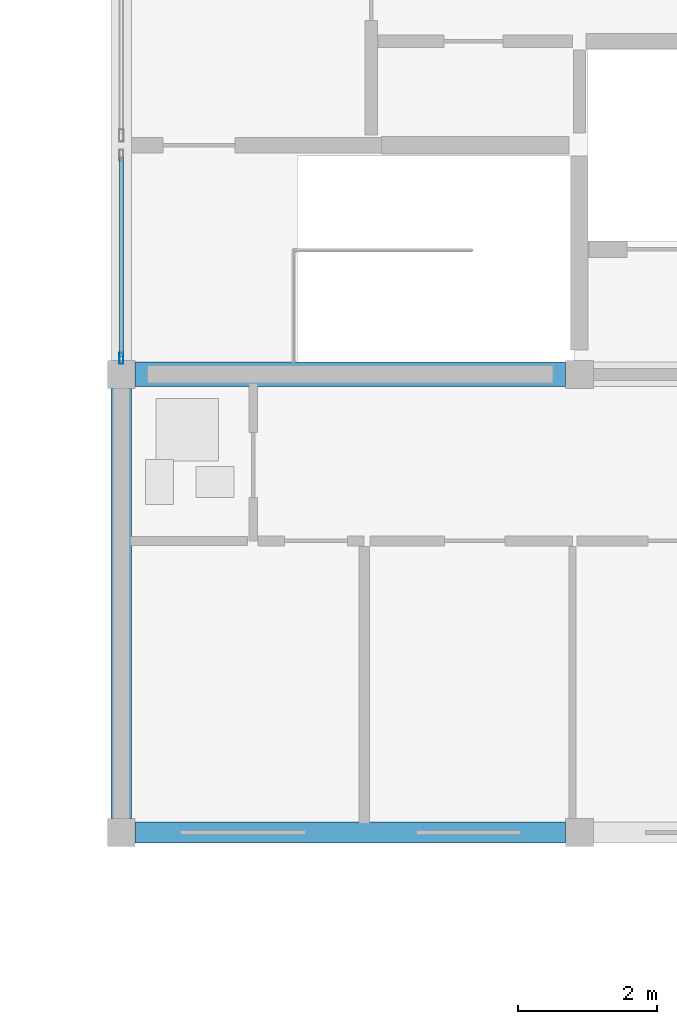
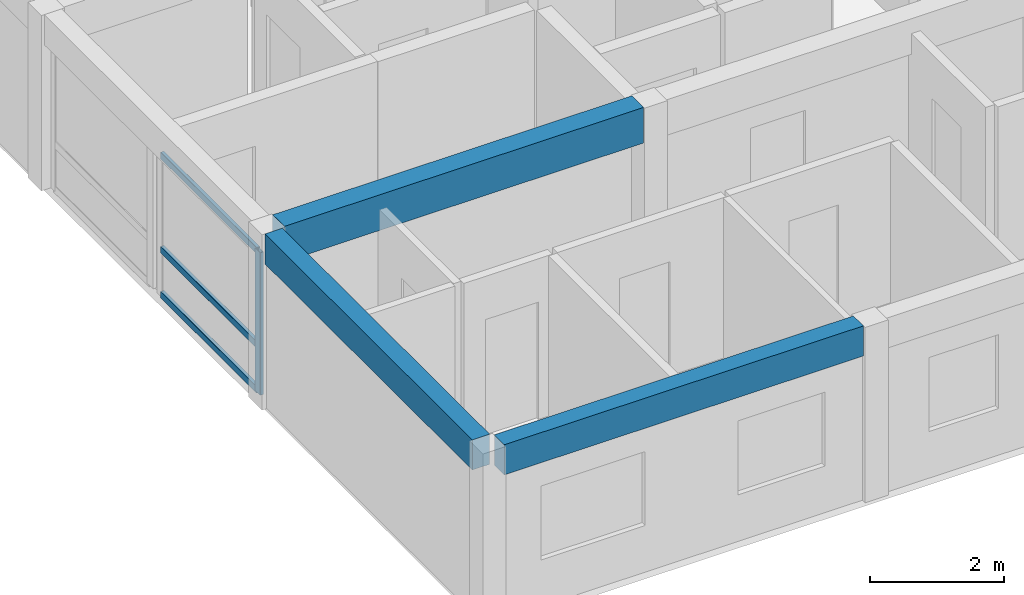
# One storey, part 7 of 23: 4 members, 3 beams, 1 element without a shape of its own.
"""IFC4 building model written with IfcOpenShell, lengths in metres."""

import ifcopenshell
import ifcopenshell.guid

model = None  # the IFC model being written
_history = None  # IfcOwnerHistory: only IFC2X3 demands one
_inside = {}  # id of a spatial element -> (the spatial element, [elements in it])
_under = {}  # id of a project, library or spatial element -> (it, [spatial elements below it])
_declared = {}  # id of a project -> (the project, [libraries it declares])
_typed = {}  # id of a type object -> (the type object, [elements of that type])
_made_of = {}  # id of a material, layer set ... -> (it, [elements and type objects made of it])


def new_model(schema):
    """Start an empty IFC model of exactly this schema.

    Asked for "IFC4X3", IfcOpenShell would pick the latest addendum, in which some entities
    have other attributes; the version numbers below select the first issue.
    IFC2X3 requires an IfcOwnerHistory on every rooted entity: one is made here for all.
    """
    global model, _history
    if schema == "IFC4X3":
        model = ifcopenshell.file(schema_version=(4, 3, 0, 0))
    else:
        model = ifcopenshell.file(schema=schema)
    _inside.clear()
    _under.clear()
    _declared.clear()
    _typed.clear()
    _made_of.clear()
    _history = None
    if model.schema == "IFC2X3":
        org = make("IfcOrganization", Name="unknown")
        user = make(
            "IfcPersonAndOrganization",
            ThePerson=make("IfcPerson", FamilyName="unknown"),
            TheOrganization=org,
        )
        app = make(
            "IfcApplication",
            ApplicationDeveloper=org,
            Version="unknown",
            ApplicationFullName="unknown",
            ApplicationIdentifier="unknown",
        )
        _history = make(
            "IfcOwnerHistory",
            OwningUser=user,
            OwningApplication=app,
            ChangeAction="ADDED",
            CreationDate=0,
        )
    return model


def make(cls, **values):
    """One entity of the class cls with the attributes given. An attribute that is None is left unset."""
    return model.create_entity(
        cls, **{name: value for name, value in values.items() if value is not None}
    )


def rooted(cls, **values):
    """An entity with a GlobalId (a new one), such as an element, a storey or a relation."""
    return make(cls, GlobalId=ifcopenshell.guid.new(), OwnerHistory=_history, **values)


def si_unit(unit_type, name, prefix=None):
    """IfcSIUnit, for example si_unit("LENGTHUNIT", "METRE", prefix="MILLI")."""
    return make("IfcSIUnit", UnitType=unit_type, Prefix=prefix, Name=name)


def assignment(units):
    """IfcUnitAssignment: the units of a project."""
    return None if units is None else make("IfcUnitAssignment", Units=units)


def point(xyz):
    """IfcCartesianPoint."""
    return None if xyz is None else make("IfcCartesianPoint", Coordinates=xyz)


def direction(xyz):
    """IfcDirection."""
    return None if xyz is None else make("IfcDirection", DirectionRatios=xyz)


def frame(location, z_axis=None, x_axis=None):
    """IfcAxis2Placement3D, a coordinate frame: its origin and axes. An axis left out is left unset."""
    return make(
        "IfcAxis2Placement3D",
        Location=point(location),
        Axis=direction(z_axis),
        RefDirection=direction(x_axis),
    )


def frame_2d(location, x_axis=None):
    """IfcAxis2Placement2D, a coordinate frame in the plane: its origin and x axis."""
    return make(
        "IfcAxis2Placement2D", Location=point(location), RefDirection=direction(x_axis)
    )


def origin():
    """The frame at (0, 0, 0) with its axes left unset."""
    return frame((0.0, 0.0, 0.0))


def origin_2d():
    """The frame at (0, 0) in the plane with its x axis left unset."""
    return frame_2d((0.0, 0.0))


def place(relative_to, where):
    """IfcLocalPlacement: puts the frame where relative to a parent placement (None: the world)."""
    return make(
        "IfcLocalPlacement", PlacementRelTo=relative_to, RelativePlacement=where
    )


def context(
    kind, dimensions, precision=None, world=None, true_north=None, identifier=None
):
    """IfcGeometricRepresentationContext, for example the 3D "Model" context."""
    return make(
        "IfcGeometricRepresentationContext",
        ContextIdentifier=identifier,
        ContextType=kind,
        CoordinateSpaceDimension=dimensions,
        Precision=precision,
        WorldCoordinateSystem=world,
        TrueNorth=true_north,
    )


def subcontext(parent, identifier, kind, view, scale=None):
    """IfcGeometricRepresentationSubContext, for example "Body" below "Model"."""
    return make(
        "IfcGeometricRepresentationSubContext",
        ContextIdentifier=identifier,
        ContextType=kind,
        ParentContext=parent,
        TargetScale=scale,
        TargetView=view,
    )


def project(units=None, contexts=None):
    """IfcProject with its units and contexts."""
    return rooted(
        "IfcProject",
        Name="project",
        RepresentationContexts=contexts,
        UnitsInContext=assignment(units),
    )


def spatial(cls, under=None, at=None, **own):
    """A site, building, storey or space (cls), placed at a placement, below another one or the project."""
    s = rooted(cls, ObjectPlacement=at, **own)
    if under is not None:
        _under.setdefault(under.id(), (under, []))[1].append(s)
    return s


def profile(cls, at=None, kind="AREA", **sizes):
    """A parametric profile (cls). Its sizes go by their IFC names, for example OverallWidth=200.0."""
    return make(cls, ProfileType=kind, Position=at, **sizes)


def rectangle(**sizes):
    """IfcRectangleProfileDef."""
    return profile("IfcRectangleProfileDef", **sizes)


def hollow_rectangle(**sizes):
    """IfcRectangleHollowProfileDef."""
    return profile("IfcRectangleHollowProfileDef", **sizes)


def extrude(swept, where, along, depth):
    """IfcExtrudedAreaSolid: the profile swept, set in the frame where, extruded along a direction by depth."""
    return make(
        "IfcExtrudedAreaSolid",
        SweptArea=swept,
        Position=where,
        ExtrudedDirection=direction(along),
        Depth=depth,
    )


def shape(context_of_items, identifier, shape_type, items):
    """IfcShapeRepresentation: the items that make up one representation, for example the "Body"."""
    return make(
        "IfcShapeRepresentation",
        ContextOfItems=context_of_items,
        RepresentationIdentifier=identifier,
        RepresentationType=shape_type,
        Items=items,
    )


def material(Name=None, Category=None):
    """IfcMaterial."""
    return make("IfcMaterial", Name=Name, Category=Category)


def material_profile(
    of_material, cross_section, Name=None, Category=None, Priority=None
):
    """IfcMaterialProfile: a cross section and its material."""
    return make(
        "IfcMaterialProfile",
        Name=Name,
        Material=of_material,
        Profile=cross_section,
        Priority=Priority,
        Category=Category,
    )


def profile_set(profiles, Name=None, composite=None):
    """IfcMaterialProfileSet."""
    return make(
        "IfcMaterialProfileSet",
        Name=Name,
        MaterialProfiles=profiles,
        CompositeProfile=composite,
    )


def made_of(thing, what):
    """Note that an element or type object is made of a material, layer set ...; save() writes the relation."""
    if what is not None:
        _made_of.setdefault(what.id(), (what, []))[1].append(thing)
    return thing


def type_object(cls, material=None, **own):
    """A type object (cls), such as IfcWallType, which elements share."""
    return made_of(rooted(cls, **own), material)


def element(
    cls,
    number,
    at=None,
    inside=None,
    cuts=None,
    type_object=None,
    material=None,
    context=None,
    identifier="Body",
    shape_type=None,
    held_by="IfcProductDefinitionShape",
    body=None,
    shapes=None,
    **own,
):
    """One element of the class cls, such as IfcWall. Its Tag is "e" and its number.

    at: its placement. inside: the storey or other place that contains it. cuts: it is an
    opening in that element (IfcRelVoidsElement). A single representation is given by context,
    identifier, shape_type and body (its items); several are given by shapes. held_by: the class
    of the entity that holds the representations. save() writes the other relations.
    """
    e = rooted(cls, Tag="e%d" % number, ObjectPlacement=at, **own)
    if body is not None:
        shapes = [shape(context, identifier, shape_type, body)]
    if shapes is not None:
        e.Representation = make(held_by, Representations=shapes)
    if inside is not None:
        _inside.setdefault(inside.id(), (inside, []))[1].append(e)
    if cuts is not None:
        rooted(
            "IfcRelVoidsElement", RelatingBuildingElement=cuts, RelatedOpeningElement=e
        )
    if type_object is not None:
        _typed.setdefault(type_object.id(), (type_object, []))[1].append(e)
    return made_of(e, material)


def aggregate(whole, parts):
    """IfcRelAggregates: a whole, such as a stair, and the parts it consists of."""
    return rooted("IfcRelAggregates", RelatingObject=whole, RelatedObjects=parts)


def save(model, path):
    """Write the relations noted so far, then the file.

    IfcRelAggregates (storeys below a building ...), IfcRelContainedInSpatialStructure (elements
    in a storey), IfcRelDefinesByType, IfcRelAssociatesMaterial and IfcRelDeclares: one each for
    every whole, place, type object, material and project.
    """
    for whole, parts in _under.values():
        aggregate(whole, parts)
    for where, things in _inside.values():
        rooted(
            "IfcRelContainedInSpatialStructure",
            RelatedElements=things,
            RelatingStructure=where,
        )
    for kind, things in _typed.values():
        rooted("IfcRelDefinesByType", RelatedObjects=things, RelatingType=kind)
    for what, things in _made_of.values():
        rooted("IfcRelAssociatesMaterial", RelatedObjects=things, RelatingMaterial=what)
    for by, libraries in _declared.values():
        rooted("IfcRelDeclares", RelatingContext=by, RelatedDefinitions=libraries)
    model.write(path)


model = new_model("IFC4")

# Units and contexts
model_context = context("Model", 3, precision=1e-05, world=origin(), true_north=direction((0.0, 1.0)))
body_context = subcontext(model_context, "Body", "Model", "MODEL_VIEW")
ifc_project = project(units=[si_unit("LENGTHUNIT", "METRE"), si_unit("AREAUNIT", "SQUARE_METRE"), si_unit("VOLUMEUNIT", "CUBIC_METRE"), si_unit("PLANEANGLEUNIT", "RADIAN"), si_unit("MASSUNIT", "GRAM", prefix="KILO")], contexts=[model_context])

# Site, building, storey
site_placement = place(None, origin())
site = spatial("IfcSite", under=ifc_project, at=site_placement, CompositionType="ELEMENT")
building_placement = place(site_placement, origin())
building = spatial("IfcBuilding", under=site, at=building_placement, Name="Kernevlak Ridge Housing Community", CompositionType="ELEMENT")
storey_placement = place(building_placement, frame((0.0, 0.0, 46.800048828125)))
storey = spatial("IfcBuildingStorey", under=building, at=storey_placement, Name="L14", CompositionType="ELEMENT", Elevation=46.800048828125)

# Beam
ifc_material_1 = material(Name="Concrete C35/45", Category="concrete")
ifc_material_profile_1 = material_profile(ifc_material_1, rectangle(XDim=0.35009765625, YDim=0.64990234375, at=origin_2d()), Name="RC 350x650")
ifc_profile_set_1 = profile_set([ifc_material_profile_1], Name="Concrete C35/45")
beam_type_1 = type_object("IfcBeamType", Name="B-02", PredefinedType="BEAM", material=ifc_profile_set_1)
beam_placement = place(storey_placement, frame((119.60009765625, 89.199951171875, 2.875), z_axis=(1.0, 0.0, 0.0), x_axis=(0.0, 1.0, 0.0)))
element("IfcBeam", 1, at=beam_placement, inside=storey, type_object=beam_type_1, Name="Beam B-02 L14 941", PredefinedType="BEAM", context=body_context, shape_type="SweptSolid", body=[
    extrude(rectangle(XDim=0.35009765625, YDim=0.64990234375, at=origin_2d()), origin(), (0.0, 0.0, 1.0), 6.199951171875),
])

# Curtain wall, member
ifc_material_2 = material(Name="Aluminium EN AW-6060 anodised and laminated glass", Category="aluminium")
curtain_wall_type = type_object("IfcCurtainWallType", Name="CW-04", PredefinedType="NOTDEFINED", material=ifc_material_2)
curtain_wall_placement = place(storey_placement, origin())
curtain_wall = element("IfcCurtainWall", 2, at=curtain_wall_placement, inside=storey, type_object=curtain_wall_type, Name="Curtain wall CW-04 CW-L14-097", PredefinedType="NOTDEFINED")
ifc_material_3 = material(Name="Aluminium EN AW-6060 anodised", Category="aluminium")
ifc_material_profile_2 = material_profile(ifc_material_3, hollow_rectangle(XDim=0.06005859375, YDim=0.159912109375, WallThickness=0.00390625, InnerFilletRadius=0.001953125, OuterFilletRadius=0.00390625, at=origin_2d()), Name="ALU 60x160x4")
ifc_profile_set_2 = profile_set([ifc_material_profile_2], Name="Aluminium EN AW-6060 anodised")
member_type_1 = type_object("IfcMemberType", Name="MU-02", PredefinedType="MULLION", material=ifc_profile_set_2)
member_1_placement = place(storey_placement, frame((119.39990234375, 89.429931640625, 0.0), z_axis=(0.0, 0.0, 1.0), x_axis=(-1.0, 0.0, 0.0)))
member_1 = element("IfcMember", 3, at=member_1_placement, type_object=member_type_1, Name="CW-04 mullion 1", PredefinedType="MULLION", context=body_context, shape_type="SweptSolid", body=[
    extrude(hollow_rectangle(XDim=0.06005859375, YDim=0.159912109375, WallThickness=0.00390625, InnerFilletRadius=0.001953125, OuterFilletRadius=0.00390625, at=origin_2d()), origin(), (0.0, 0.0, 1.0), 2.599853515625),
])

# Beams
ifc_material_profile_3 = material_profile(ifc_material_1, rectangle(XDim=0.300048828125, YDim=0.550048828125, at=origin_2d()), Name="RC 300x550")
ifc_profile_set_3 = profile_set([ifc_material_profile_3], Name="Concrete C35/45")
beam_type_2 = type_object("IfcBeamType", Name="SP-01", PredefinedType="SPANDREL", material=ifc_profile_set_3)
for number, where, z_axis, x_axis, name in (
    (4, (119.60009765625, 82.60009765625, 2.925048828125), (1.0, 0.0, 0.0), (0.0, 1.0, 0.0), "Beam SP-01 L14 937"),
    (5, (119.39990234375, 82.800048828125, 2.925048828125), (0.0, 1.0, 0.0), (-1.0, 0.0, 0.0), "Beam SP-01 L14 953"),
):
    element("IfcBeam", number, at=place(storey_placement, frame(where, z_axis=z_axis, x_axis=x_axis)), inside=storey, type_object=beam_type_2, Name=name, PredefinedType="SPANDREL", context=body_context, shape_type="SweptSolid", body=[
        extrude(rectangle(XDim=0.300048828125, YDim=0.550048828125, at=origin_2d()), origin(), (0.0, 0.0, 1.0), 6.199951171875),
    ])

# Member
ifc_material_profile_4 = material_profile(ifc_material_3, hollow_rectangle(XDim=0.06005859375, YDim=0.1201171875, WallThickness=0.00390625, InnerFilletRadius=0.001953125, OuterFilletRadius=0.00390625, at=origin_2d()), Name="ALU 60x120x4")
ifc_profile_set_4 = profile_set([ifc_material_profile_4], Name="Aluminium EN AW-6060 anodised")
member_type_2 = type_object("IfcMemberType", Name="TM-02", PredefinedType="USERDEFINED", material=ifc_profile_set_4)
member_2_placement = place(storey_placement, frame((119.39990234375, 89.4599609375, 0.030029296875), z_axis=(0.0, 1.0, 0.0), x_axis=(-1.0, 0.0, 0.0)))
member_2 = element("IfcMember", 6, at=member_2_placement, type_object=member_type_2, Name="CW-04 transom 1.1", ObjectType="TRANSOM", PredefinedType="USERDEFINED", context=body_context, shape_type="SweptSolid", body=[
    extrude(hollow_rectangle(XDim=0.06005859375, YDim=0.1201171875, WallThickness=0.00390625, InnerFilletRadius=0.001953125, OuterFilletRadius=0.00390625, at=origin_2d()), origin(), (0.0, 0.0, 1.0), 2.8701171875),
])

member_3_placement = place(storey_placement, frame((119.39990234375, 89.4599609375, 0.849853515625), z_axis=(0.0, 1.0, 0.0), x_axis=(-1.0, 0.0, 0.0)))
member_3 = element("IfcMember", 7, at=member_3_placement, type_object=member_type_2, Name="CW-04 transom 1.2", ObjectType="TRANSOM", PredefinedType="USERDEFINED", context=body_context, shape_type="SweptSolid", body=[
    extrude(hollow_rectangle(XDim=0.06005859375, YDim=0.1201171875, WallThickness=0.00390625, InnerFilletRadius=0.001953125, OuterFilletRadius=0.00390625, at=origin_2d()), origin(), (0.0, 0.0, 1.0), 2.8701171875),
])

member_4_placement = place(storey_placement, frame((119.39990234375, 89.4599609375, 2.570068359375), z_axis=(0.0, 1.0, 0.0), x_axis=(-1.0, 0.0, 0.0)))
member_4 = element("IfcMember", 8, at=member_4_placement, type_object=member_type_2, Name="CW-04 transom 1.3", ObjectType="TRANSOM", PredefinedType="USERDEFINED", context=body_context, shape_type="SweptSolid", body=[
    extrude(hollow_rectangle(XDim=0.06005859375, YDim=0.1201171875, WallThickness=0.00390625, InnerFilletRadius=0.001953125, OuterFilletRadius=0.00390625, at=origin_2d()), origin(), (0.0, 0.0, 1.0), 2.8701171875),
])

aggregate(curtain_wall, [member_1, member_2, member_3, member_4])

save(model, "model.ifc")
